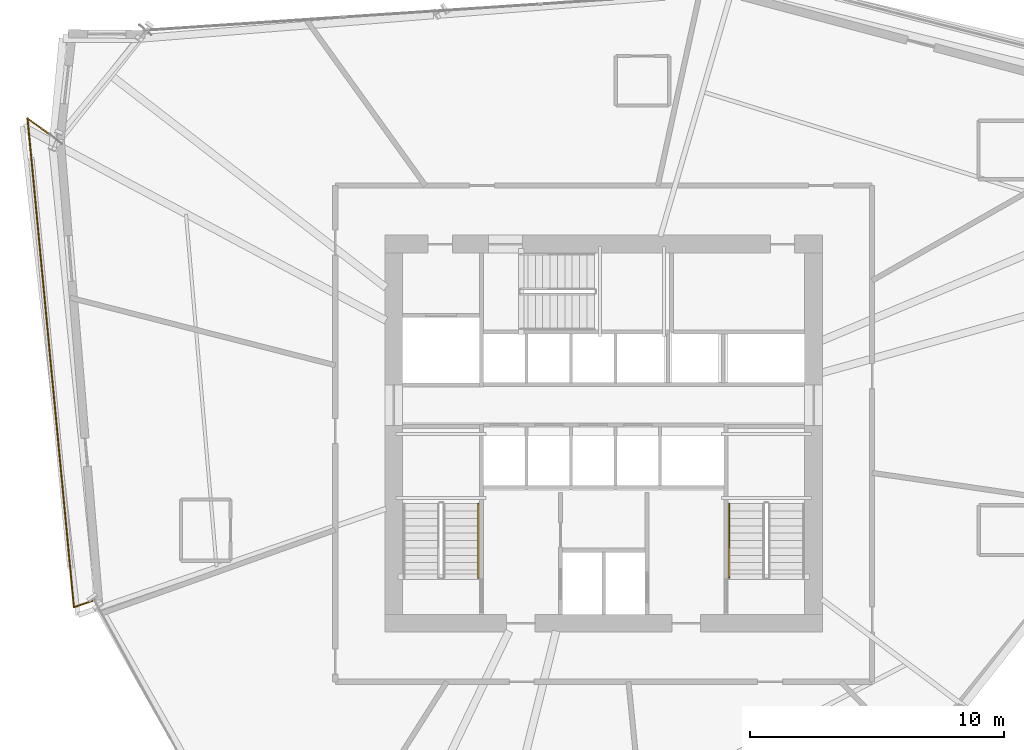
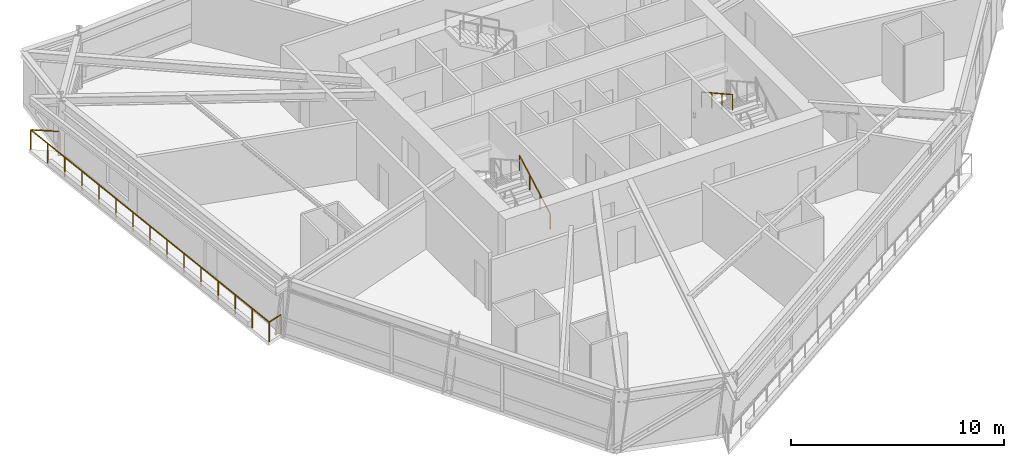
# One storey, part 19 of 21: 3 railings.
"""IFC4 building model written with IfcOpenShell, lengths in metres."""

from ifc_helpers import new_model, si_unit, direction, frame, origin, origin_2d, place, context, subcontext, project, spatial, rectangle, extrude, material, type_object, element, save


model = new_model("IFC4")

# Units and contexts
model_context = context("Model", 3, precision=1e-05, world=origin(), true_north=direction((0.0, 1.0)))
body_context = subcontext(model_context, "Body", "Model", "MODEL_VIEW")
ifc_project = project(units=[si_unit("LENGTHUNIT", "METRE"), si_unit("AREAUNIT", "SQUARE_METRE"), si_unit("VOLUMEUNIT", "CUBIC_METRE"), si_unit("PLANEANGLEUNIT", "RADIAN"), si_unit("MASSUNIT", "GRAM", prefix="KILO")], contexts=[model_context])

# Site, building, storey
site_placement = place(None, origin())
site = spatial("IfcSite", under=ifc_project, at=site_placement, CompositionType="ELEMENT")
building_placement = place(site_placement, origin())
building = spatial("IfcBuilding", under=site, at=building_placement, Name="Olszyna Solenne Hotel", CompositionType="ELEMENT")
storey_placement = place(building_placement, frame((0.0, 0.0, 109.25)))
storey = spatial("IfcBuildingStorey", under=building, at=storey_placement, Name="L28", CompositionType="ELEMENT", Elevation=109.25)

# Railings
ifc_material_1 = material(Name="Anodised bronze aluminium", Category="aluminium")
railing_type_1 = type_object("IfcRailingType", Name="GR-110", PredefinedType="BALUSTRADE", material=ifc_material_1)
railing_1_placement = place(storey_placement, frame((16.47900390625, 38.188232421875, 0.0)))
element("IfcRailing", 1, at=railing_1_placement, inside=storey, type_object=railing_type_1, Name="Loggia balcony balustrade guard GR-L28-LG2", PredefinedType="BALUSTRADE", context=body_context, shape_type="SweptSolid", body=[
    extrude(rectangle(XDim=0.048095703125, YDim=0.048095703125, at=origin_2d()), frame((0.0, 0.0, 1.1259765625), z_axis=(-0.814868009668, 0.579646553358, 0.0), x_axis=(-0.579646553358, -0.814868009668, 0.0)), (0.0, 0.0, 1.0), 1.37939453125),
    extrude(rectangle(XDim=0.048095703125, YDim=0.048095703125, at=origin_2d()), frame((-1.1240234375, 0.799560546875, 1.1259765625), z_axis=(0.094451978268, -0.995529418853, 0.0), x_axis=(0.995529418853, 0.094451978268, 0.0)), (0.0, 0.0, 1.0), 19.29296875),
    extrude(rectangle(XDim=0.048095703125, YDim=0.048095703125, at=origin_2d()), frame((0.6982421875, -18.4072265625, 1.1259765625), z_axis=(0.948769829095, 0.315968054397, 0.0), x_axis=(-0.315968054397, 0.948769829095, 0.0)), (0.0, 0.0, 1.0), 0.84619140625),
    extrude(rectangle(XDim=0.0419921875, YDim=0.0419921875, at=origin_2d()), origin(), (0.0, 0.0, 1.0), 1.101806640625),
    extrude(rectangle(XDim=0.0419921875, YDim=0.0419921875, at=origin_2d()), frame((-1.1240234375, 0.799560546875, 0.0)), (0.0, 0.0, 1.0), 1.101806640625),
    extrude(rectangle(XDim=0.0419921875, YDim=0.0419921875, at=origin_2d()), frame((-0.993896484375, -0.572265625, 0.0)), (0.0, 0.0, 1.0), 1.101806640625),
    extrude(rectangle(XDim=0.0419921875, YDim=0.0419921875, at=origin_2d()), frame((-0.86376953125, -1.9443359375, 0.0)), (0.0, 0.0, 1.0), 1.101806640625),
    extrude(rectangle(XDim=0.0419921875, YDim=0.0419921875, at=origin_2d()), frame((-0.733642578125, -3.316162109375, 0.0)), (0.0, 0.0, 1.0), 1.101806640625),
    extrude(rectangle(XDim=0.0419921875, YDim=0.0419921875, at=origin_2d()), frame((-0.603271484375, -4.68798828125, 0.0)), (0.0, 0.0, 1.0), 1.101806640625),
    extrude(rectangle(XDim=0.0419921875, YDim=0.0419921875, at=origin_2d()), frame((-0.47314453125, -6.06005859375, 0.0)), (0.0, 0.0, 1.0), 1.101806640625),
    extrude(rectangle(XDim=0.0419921875, YDim=0.0419921875, at=origin_2d()), frame((-0.343017578125, -7.431884765625, 0.0)), (0.0, 0.0, 1.0), 1.101806640625),
    extrude(rectangle(XDim=0.0419921875, YDim=0.0419921875, at=origin_2d()), frame((-0.212890625, -8.8037109375, 0.0)), (0.0, 0.0, 1.0), 1.101806640625),
    extrude(rectangle(XDim=0.0419921875, YDim=0.0419921875, at=origin_2d()), frame((-0.082763671875, -10.17578125, 0.0)), (0.0, 0.0, 1.0), 1.101806640625),
    extrude(rectangle(XDim=0.0419921875, YDim=0.0419921875, at=origin_2d()), frame((0.04736328125, -11.547607421875, 0.0)), (0.0, 0.0, 1.0), 1.101806640625),
    extrude(rectangle(XDim=0.0419921875, YDim=0.0419921875, at=origin_2d()), frame((0.177490234375, -12.919677734375, 0.0)), (0.0, 0.0, 1.0), 1.101806640625),
    extrude(rectangle(XDim=0.0419921875, YDim=0.0419921875, at=origin_2d()), frame((0.307861328125, -14.29150390625, 0.0)), (0.0, 0.0, 1.0), 1.101806640625),
    extrude(rectangle(XDim=0.0419921875, YDim=0.0419921875, at=origin_2d()), frame((0.43798828125, -15.663330078125, 0.0)), (0.0, 0.0, 1.0), 1.101806640625),
    extrude(rectangle(XDim=0.0419921875, YDim=0.0419921875, at=origin_2d()), frame((0.568115234375, -17.035400390625, 0.0)), (0.0, 0.0, 1.0), 1.101806640625),
    extrude(rectangle(XDim=0.0419921875, YDim=0.0419921875, at=origin_2d()), frame((0.6982421875, -18.4072265625, 0.0)), (0.0, 0.0, 1.0), 1.101806640625),
    extrude(rectangle(XDim=0.0419921875, YDim=0.0419921875, at=origin_2d()), frame((1.5009765625, -18.139892578125, 0.0)), (0.0, 0.0, 1.0), 1.101806640625),
])
ifc_material_2 = material(Name="Steel S355J2", Category="steel")
railing_type_2 = type_object("IfcRailingType", Name="HR-090", PredefinedType="HANDRAIL", material=ifc_material_2)
railing_2_placement = place(storey_placement, frame((33.070068359375, 20.949951171875, 0.161376953125)))
element("IfcRailing", 2, at=railing_2_placement, inside=storey, type_object=railing_type_2, Name="L28 ST1 stair handrail 1", PredefinedType="HANDRAIL", context=body_context, shape_type="SweptSolid", body=[
    extrude(rectangle(XDim=0.048095703125, YDim=0.048095703125, at=origin_2d()), frame((0.0, 0.0, 0.8759765625), z_axis=(0.0, 0.873858693841, 0.486179990537), x_axis=(-1.0, 0.0, 0.0)), (0.0, 0.0, 1.0), 3.31884765625),
    extrude(rectangle(XDim=0.0419921875, YDim=0.0419921875, at=origin_2d()), origin(), (0.0, 0.0, 1.0), 0.851806640625),
    extrude(rectangle(XDim=0.0419921875, YDim=0.0419921875, at=origin_2d()), frame((0.0, 0.966796875, 0.537841796875)), (0.0, 0.0, 1.0), 0.851806640625),
    extrude(rectangle(XDim=0.0419921875, YDim=0.0419921875, at=origin_2d()), frame((0.0, 1.933349609375, 1.07568359375)), (0.0, 0.0, 1.0), 0.851806640625),
    extrude(rectangle(XDim=0.0419921875, YDim=0.0419921875, at=origin_2d()), frame((0.0, 2.900146484375, 1.613525390625)), (0.0, 0.0, 1.0), 0.851806640625),
])
railing_3_placement = place(storey_placement, frame((42.929931640625, 23.85009765625, 1.936279296875)))
element("IfcRailing", 3, at=railing_3_placement, inside=storey, type_object=railing_type_2, Name="L28 ST2 stair handrail 2", PredefinedType="HANDRAIL", context=body_context, shape_type="SweptSolid", body=[
    extrude(rectangle(XDim=0.048095703125, YDim=0.048095703125, at=origin_2d()), frame((0.0, 0.0, 0.8759765625), z_axis=(0.0, -0.873827439584, 0.48623616261), x_axis=(1.0, 0.0, 0.0)), (0.0, 0.0, 1.0), 3.31884765625),
    extrude(rectangle(XDim=0.0419921875, YDim=0.0419921875, at=origin_2d()), origin(), (0.0, 0.0, 1.0), 0.851806640625),
    extrude(rectangle(XDim=0.0419921875, YDim=0.0419921875, at=origin_2d()), frame((0.0, -0.966796875, 0.537841796875)), (0.0, 0.0, 1.0), 0.851806640625),
    extrude(rectangle(XDim=0.0419921875, YDim=0.0419921875, at=origin_2d()), frame((0.0, -1.933349609375, 1.075927734375)), (0.0, 0.0, 1.0), 0.851806640625),
    extrude(rectangle(XDim=0.0419921875, YDim=0.0419921875, at=origin_2d()), frame((0.0, -2.900146484375, 1.61376953125)), (0.0, 0.0, 1.0), 0.851806640625),
])

save(model, "model.ifc")
